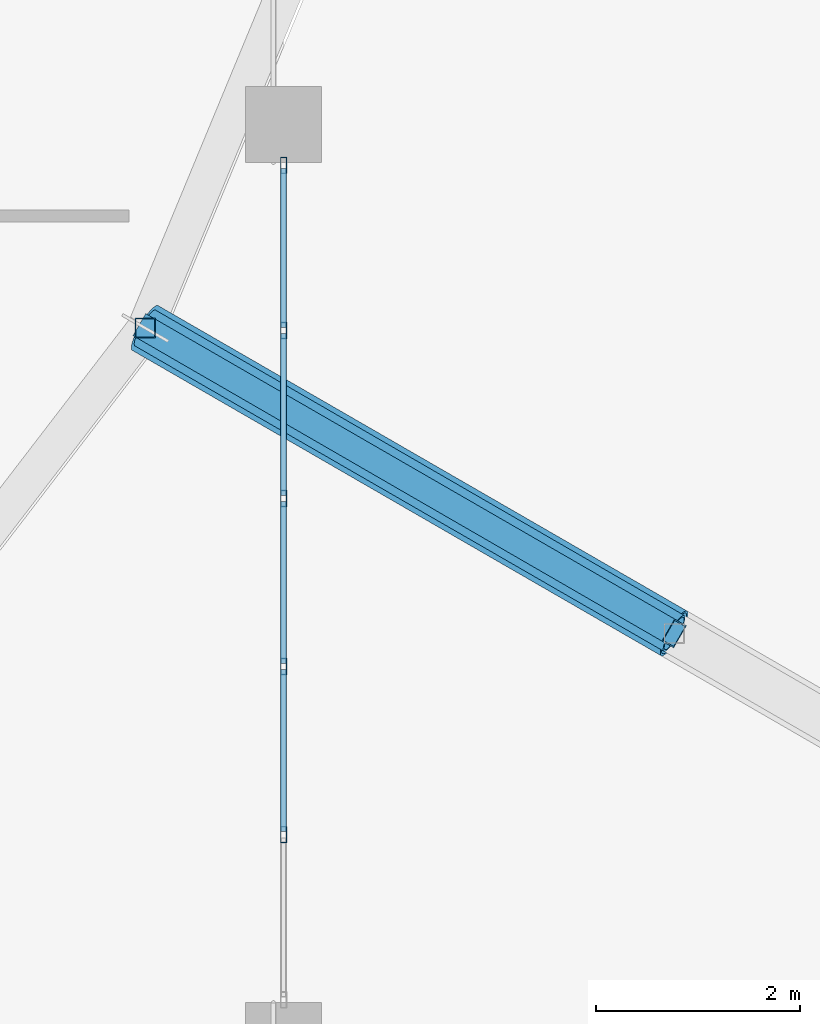
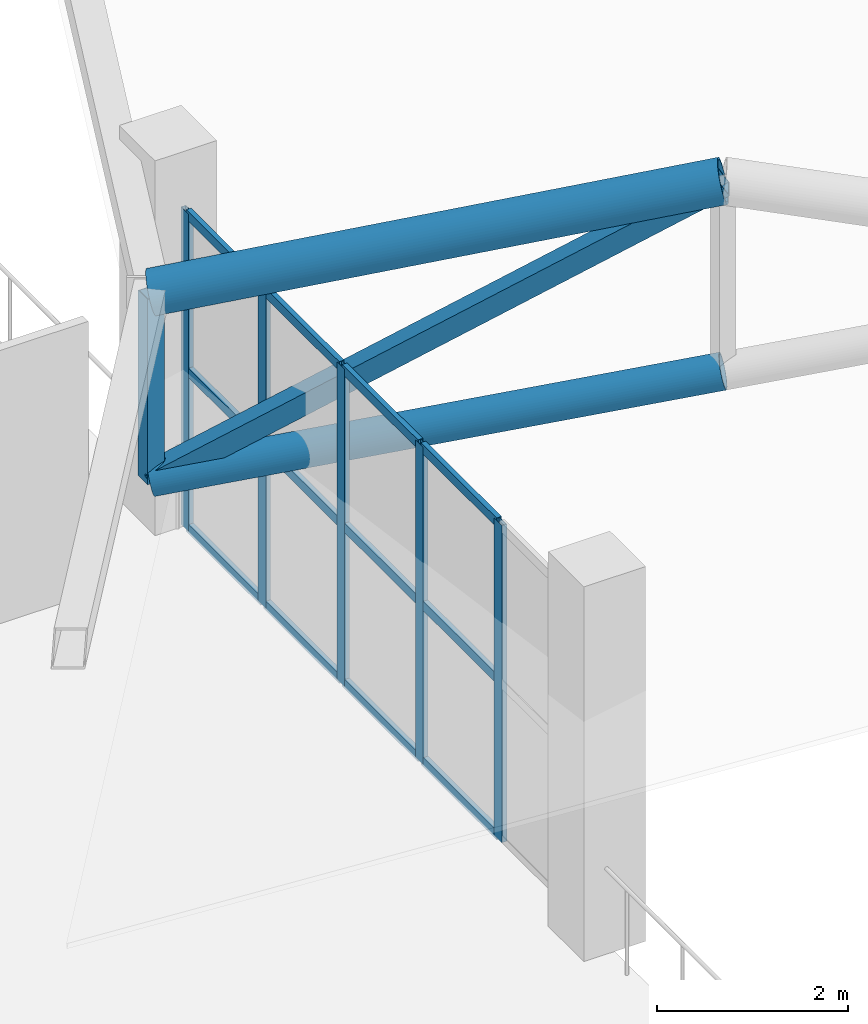
# One storey, part 39 of 167: 21 members, 1 element without a shape of its own.
"""IFC4 building model written with IfcOpenShell, lengths in metres."""

from ifc_helpers import new_model, si_unit, direction, frame, origin, origin_2d, place, context, subcontext, project, spatial, hollow_rectangle, hollow_circle, extrude, material, layer, layer_set, material_profile, profile_set, type_object, element, aggregate, save


model = new_model("IFC4")

# Units and contexts
model_context = context("Model", 3, precision=1e-05, world=origin(), true_north=direction((0.0, 1.0)))
body_context = subcontext(model_context, "Body", "Model", "MODEL_VIEW")
ifc_project = project(units=[si_unit("LENGTHUNIT", "METRE"), si_unit("AREAUNIT", "SQUARE_METRE"), si_unit("VOLUMEUNIT", "CUBIC_METRE"), si_unit("PLANEANGLEUNIT", "RADIAN"), si_unit("MASSUNIT", "GRAM", prefix="KILO")], contexts=[model_context])

# Site, building, storey
site_placement = place(None, origin())
site = spatial("IfcSite", under=ifc_project, at=site_placement, CompositionType="ELEMENT")
building_placement = place(site_placement, origin())
building = spatial("IfcBuilding", under=site, at=building_placement, Name="Dornveld Trade and Exhibition Forum", CompositionType="ELEMENT")
storey_placement = place(building_placement, frame((0.0, 0.0, 16.800048828125)))
storey = spatial("IfcBuildingStorey", under=building, at=storey_placement, Name="L03", CompositionType="ELEMENT", Elevation=16.800048828125)

# Curtain wall, members
ifc_material_1 = material(Name="Dark-bronze anodised aluminium and low-E glass", Category="aluminium")
ifc_layer = layer(ifc_material_1, 0.172119140625)
ifc_layer_set = layer_set([ifc_layer], Name="Dark-bronze anodised aluminium and low-E glass")
curtain_wall_type = type_object("IfcCurtainWallType", Name="CW-SYS-10", PredefinedType="USERDEFINED", material=ifc_layer_set)
curtain_wall_placement = place(storey_placement, origin())
curtain_wall = element("IfcCurtainWall", 1, at=curtain_wall_placement, inside=storey, type_object=curtain_wall_type, Name="L03 unitised curtain wall 64", ObjectType="UNITISED_CURTAIN_WALL", PredefinedType="USERDEFINED")
ifc_material_2 = material(Name="Dark-bronze anodised aluminium", Category="aluminium")
ifc_material_profile_1 = material_profile(ifc_material_2, hollow_rectangle(XDim=0.06005859375, YDim=0.159912109375, WallThickness=0.00390625, at=origin_2d()), Name="RHS 160x60x4")
ifc_profile_set_1 = profile_set([ifc_material_profile_1], Name="Dark-bronze anodised aluminium")
member_type_1 = type_object("IfcMemberType", Name="CW-MUL-160", PredefinedType="MULLION", material=ifc_profile_set_1)
member_1_placement = place(storey_placement, frame((153.0, 56.022705078125, -0.004150390625), z_axis=(0.0, 0.0, 1.0), x_axis=(-1.0, 0.0, 0.0)))
member_1 = element("IfcMember", 2, at=member_1_placement, type_object=member_type_1, Name="CW-10 mullion 2", PredefinedType="MULLION", context=body_context, shape_type="SweptSolid", body=[
    extrude(hollow_rectangle(XDim=0.06005859375, YDim=0.159912109375, WallThickness=0.00390625, at=origin_2d()), origin(), (0.0, 0.0, 1.0), 4.064208984375),
])
member_2_placement = place(storey_placement, frame((153.0, 57.67431640625, -0.004150390625), z_axis=(0.0, 0.0, 1.0), x_axis=(-1.0, 0.0, 0.0)))
member_2 = element("IfcMember", 3, at=member_2_placement, type_object=member_type_1, Name="CW-10 mullion 3", PredefinedType="MULLION", context=body_context, shape_type="SweptSolid", body=[
    extrude(hollow_rectangle(XDim=0.06005859375, YDim=0.159912109375, WallThickness=0.00390625, at=origin_2d()), origin(), (0.0, 0.0, 1.0), 4.064208984375),
])
member_3_placement = place(storey_placement, frame((153.0, 59.32568359375, -0.004150390625), z_axis=(0.0, 0.0, 1.0), x_axis=(-1.0, 0.0, 0.0)))
member_3 = element("IfcMember", 4, at=member_3_placement, type_object=member_type_1, Name="CW-10 mullion 4", PredefinedType="MULLION", context=body_context, shape_type="SweptSolid", body=[
    extrude(hollow_rectangle(XDim=0.06005859375, YDim=0.159912109375, WallThickness=0.00390625, at=origin_2d()), origin(), (0.0, 0.0, 1.0), 4.064208984375),
])
member_4_placement = place(storey_placement, frame((153.0, 60.977294921875, -0.004150390625), z_axis=(0.0, 0.0, 1.0), x_axis=(-1.0, 0.0, 0.0)))
member_4 = element("IfcMember", 5, at=member_4_placement, type_object=member_type_1, Name="CW-10 mullion 5", PredefinedType="MULLION", context=body_context, shape_type="SweptSolid", body=[
    extrude(hollow_rectangle(XDim=0.06005859375, YDim=0.159912109375, WallThickness=0.00390625, at=origin_2d()), origin(), (0.0, 0.0, 1.0), 4.064208984375),
])
member_5_placement = place(storey_placement, frame((153.0, 62.59912109375, -0.004150390625), z_axis=(0.0, 0.0, 1.0), x_axis=(-1.0, 0.0, 0.0)))
member_5 = element("IfcMember", 6, at=member_5_placement, type_object=member_type_1, Name="CW-10 mullion 6", PredefinedType="MULLION", context=body_context, shape_type="SweptSolid", body=[
    extrude(hollow_rectangle(XDim=0.06005859375, YDim=0.159912109375, WallThickness=0.00390625, at=origin_2d()), origin(), (0.0, 0.0, 1.0), 4.064208984375),
])
ifc_material_3 = material(Name="Dark-bronze anodised aluminium", Category="aluminium")
ifc_material_profile_2 = material_profile(ifc_material_3, hollow_rectangle(XDim=0.06005859375, YDim=0.1201171875, WallThickness=0.00390625, at=origin_2d()), Name="RHS 120x60x4")
ifc_profile_set_2 = profile_set([ifc_material_profile_2], Name="Dark-bronze anodised aluminium")
member_type_2 = type_object("IfcMemberType", Name="CW-TRN-120", PredefinedType="USERDEFINED", material=ifc_profile_set_2)
member_6_placement = place(storey_placement, frame((153.0, 56.052490234375, 0.02587890625), z_axis=(0.0, 1.0, 0.0), x_axis=(-1.0, 0.0, 0.0)))
member_6 = element("IfcMember", 7, at=member_6_placement, type_object=member_type_2, Name="CW-10 transom 2.1", ObjectType="TRANSOM", PredefinedType="USERDEFINED", context=body_context, shape_type="SweptSolid", body=[
    extrude(hollow_rectangle(XDim=0.06005859375, YDim=0.1201171875, WallThickness=0.00390625, at=origin_2d()), origin(), (0.0, 0.0, 1.0), 1.591796875),
])
member_7_placement = place(storey_placement, frame((153.0, 56.052490234375, 2.02783203125), z_axis=(0.0, 1.0, 0.0), x_axis=(-1.0, 0.0, 0.0)))
member_7 = element("IfcMember", 8, at=member_7_placement, type_object=member_type_2, Name="CW-10 transom 2.2", ObjectType="TRANSOM", PredefinedType="USERDEFINED", context=body_context, shape_type="SweptSolid", body=[
    extrude(hollow_rectangle(XDim=0.06005859375, YDim=0.1201171875, WallThickness=0.00390625, at=origin_2d()), origin(), (0.0, 0.0, 1.0), 1.591796875),
])
member_8_placement = place(storey_placement, frame((153.0, 56.052490234375, 4.030029296875), z_axis=(0.0, 1.0, 0.0), x_axis=(-1.0, 0.0, 0.0)))
member_8 = element("IfcMember", 9, at=member_8_placement, type_object=member_type_2, Name="CW-10 transom 2.3", ObjectType="TRANSOM", PredefinedType="USERDEFINED", context=body_context, shape_type="SweptSolid", body=[
    extrude(hollow_rectangle(XDim=0.06005859375, YDim=0.1201171875, WallThickness=0.00390625, at=origin_2d()), origin(), (0.0, 0.0, 1.0), 1.591796875),
])
member_9_placement = place(storey_placement, frame((153.0, 57.7041015625, 0.02587890625), z_axis=(0.0, 1.0, 0.0), x_axis=(-1.0, 0.0, 0.0)))
member_9 = element("IfcMember", 10, at=member_9_placement, type_object=member_type_2, Name="CW-10 transom 3.1", ObjectType="TRANSOM", PredefinedType="USERDEFINED", context=body_context, shape_type="SweptSolid", body=[
    extrude(hollow_rectangle(XDim=0.06005859375, YDim=0.1201171875, WallThickness=0.00390625, at=origin_2d()), origin(), (0.0, 0.0, 1.0), 1.591796875),
])
member_10_placement = place(storey_placement, frame((153.0, 57.7041015625, 2.02783203125), z_axis=(0.0, 1.0, 0.0), x_axis=(-1.0, 0.0, 0.0)))
member_10 = element("IfcMember", 11, at=member_10_placement, type_object=member_type_2, Name="CW-10 transom 3.2", ObjectType="TRANSOM", PredefinedType="USERDEFINED", context=body_context, shape_type="SweptSolid", body=[
    extrude(hollow_rectangle(XDim=0.06005859375, YDim=0.1201171875, WallThickness=0.00390625, at=origin_2d()), origin(), (0.0, 0.0, 1.0), 1.591796875),
])
member_11_placement = place(storey_placement, frame((153.0, 57.7041015625, 4.030029296875), z_axis=(0.0, 1.0, 0.0), x_axis=(-1.0, 0.0, 0.0)))
member_11 = element("IfcMember", 12, at=member_11_placement, type_object=member_type_2, Name="CW-10 transom 3.3", ObjectType="TRANSOM", PredefinedType="USERDEFINED", context=body_context, shape_type="SweptSolid", body=[
    extrude(hollow_rectangle(XDim=0.06005859375, YDim=0.1201171875, WallThickness=0.00390625, at=origin_2d()), origin(), (0.0, 0.0, 1.0), 1.591796875),
])
member_12_placement = place(storey_placement, frame((153.0, 59.355712890625, 0.02587890625), z_axis=(0.0, 1.0, 0.0), x_axis=(-1.0, 0.0, 0.0)))
member_12 = element("IfcMember", 13, at=member_12_placement, type_object=member_type_2, Name="CW-10 transom 4.1", ObjectType="TRANSOM", PredefinedType="USERDEFINED", context=body_context, shape_type="SweptSolid", body=[
    extrude(hollow_rectangle(XDim=0.06005859375, YDim=0.1201171875, WallThickness=0.00390625, at=origin_2d()), origin(), (0.0, 0.0, 1.0), 1.591796875),
])
member_13_placement = place(storey_placement, frame((153.0, 59.355712890625, 2.02783203125), z_axis=(0.0, 1.0, 0.0), x_axis=(-1.0, 0.0, 0.0)))
member_13 = element("IfcMember", 14, at=member_13_placement, type_object=member_type_2, Name="CW-10 transom 4.2", ObjectType="TRANSOM", PredefinedType="USERDEFINED", context=body_context, shape_type="SweptSolid", body=[
    extrude(hollow_rectangle(XDim=0.06005859375, YDim=0.1201171875, WallThickness=0.00390625, at=origin_2d()), origin(), (0.0, 0.0, 1.0), 1.591796875),
])
member_14_placement = place(storey_placement, frame((153.0, 59.355712890625, 4.030029296875), z_axis=(0.0, 1.0, 0.0), x_axis=(-1.0, 0.0, 0.0)))
member_14 = element("IfcMember", 15, at=member_14_placement, type_object=member_type_2, Name="CW-10 transom 4.3", ObjectType="TRANSOM", PredefinedType="USERDEFINED", context=body_context, shape_type="SweptSolid", body=[
    extrude(hollow_rectangle(XDim=0.06005859375, YDim=0.1201171875, WallThickness=0.00390625, at=origin_2d()), origin(), (0.0, 0.0, 1.0), 1.591796875),
])
member_15_placement = place(storey_placement, frame((153.0, 61.00732421875, 0.02587890625), z_axis=(0.0, 1.0, 0.0), x_axis=(-1.0, 0.0, 0.0)))
member_15 = element("IfcMember", 16, at=member_15_placement, type_object=member_type_2, Name="CW-10 transom 5.1", ObjectType="TRANSOM", PredefinedType="USERDEFINED", context=body_context, shape_type="SweptSolid", body=[
    extrude(hollow_rectangle(XDim=0.06005859375, YDim=0.1201171875, WallThickness=0.00390625, at=origin_2d()), origin(), (0.0, 0.0, 1.0), 1.561767578125),
])
member_16_placement = place(storey_placement, frame((153.0, 61.00732421875, 2.02783203125), z_axis=(0.0, 1.0, 0.0), x_axis=(-1.0, 0.0, 0.0)))
member_16 = element("IfcMember", 17, at=member_16_placement, type_object=member_type_2, Name="CW-10 transom 5.2", ObjectType="TRANSOM", PredefinedType="USERDEFINED", context=body_context, shape_type="SweptSolid", body=[
    extrude(hollow_rectangle(XDim=0.06005859375, YDim=0.1201171875, WallThickness=0.00390625, at=origin_2d()), origin(), (0.0, 0.0, 1.0), 1.561767578125),
])
member_17_placement = place(storey_placement, frame((153.0, 61.00732421875, 4.030029296875), z_axis=(0.0, 1.0, 0.0), x_axis=(-1.0, 0.0, 0.0)))
member_17 = element("IfcMember", 18, at=member_17_placement, type_object=member_type_2, Name="CW-10 transom 5.3", ObjectType="TRANSOM", PredefinedType="USERDEFINED", context=body_context, shape_type="SweptSolid", body=[
    extrude(hollow_rectangle(XDim=0.06005859375, YDim=0.1201171875, WallThickness=0.00390625, at=origin_2d()), origin(), (0.0, 0.0, 1.0), 1.561767578125),
])
aggregate(curtain_wall, [member_1, member_2, member_3, member_4, member_5, member_6, member_7, member_8, member_9, member_10, member_11, member_12, member_13, member_14, member_15, member_16, member_17])

# Members
ifc_material_4 = material(Name="Steel S355J2", Category="steel")
ifc_material_profile_3 = material_profile(ifc_material_4, hollow_circle(Radius=0.203125, WallThickness=0.02001953125, at=origin_2d()), Name="CHS 406.4x20")
ifc_profile_set_3 = profile_set([ifc_material_profile_3], Name="Steel S355J2")
member_type_3 = type_object("IfcMemberType", Name="MEM-DISC-BC", PredefinedType="CHORD", material=ifc_profile_set_3)
member_18_placement = place(storey_placement, frame((151.64111328125, 61.0, 2.07568359375), z_axis=(0.844532722982, -0.487601282714, 0.221380823263), x_axis=(0.500007758305, 0.866020924479, 0.0)))
element("IfcMember", 19, at=member_18_placement, inside=storey, type_object=member_type_3, Name="Roof disc radial R23 conical bottom chord 3", PredefinedType="CHORD", context=body_context, shape_type="SweptSolid", body=[
    extrude(hollow_circle(Radius=0.203125, WallThickness=0.02001953125, at=origin_2d()), origin(), (0.0, 0.0, 1.0), 6.152587890625),
])
ifc_material_5 = material(Name="Steel S355J2", Category="steel")
ifc_material_profile_4 = material_profile(ifc_material_5, hollow_rectangle(XDim=0.199951171875, YDim=0.199951171875, WallThickness=0.010009765625, at=origin_2d()), Name="SHS 200x200x10")
ifc_profile_set_4 = profile_set([ifc_material_profile_4], Name="Steel S355J2")
member_type_4 = type_object("IfcMemberType", Name="MEM-DISC-STR", PredefinedType="STRUT", material=ifc_profile_set_4)
member_19_placement = place(storey_placement, frame((151.64111328125, 61.0, 2.07568359375), z_axis=(0.0, 0.0, 1.0), x_axis=(1.0, 0.0, 0.0)))
element("IfcMember", 20, at=member_19_placement, inside=storey, type_object=member_type_4, Name="Roof disc radial R23 strut 3", PredefinedType="STRUT", context=body_context, shape_type="SweptSolid", body=[
    extrude(hollow_rectangle(XDim=0.199951171875, YDim=0.199951171875, WallThickness=0.010009765625, at=origin_2d()), origin(), (0.0, 0.0, 1.0), 2.374267578125),
])
ifc_material_6 = material(Name="Steel S355J2", Category="steel")
ifc_material_profile_5 = material_profile(ifc_material_6, hollow_circle(Radius=0.25390625, WallThickness=0.02490234375, at=origin_2d()), Name="CHS 508x25")
ifc_profile_set_5 = profile_set([ifc_material_profile_5], Name="Steel S355J2")
member_type_5 = type_object("IfcMemberType", Name="MEM-DISC-TC", PredefinedType="CHORD", material=ifc_profile_set_5)
member_20_placement = place(storey_placement, frame((151.64111328125, 61.0, 4.449951171875), z_axis=(0.842581171387, -0.486474530565, 0.231083319898), x_axis=(0.500007758305, 0.866020924479, 0.0)))
element("IfcMember", 21, at=member_20_placement, inside=storey, type_object=member_type_5, Name="Roof disc radial R23 top chord 3", PredefinedType="CHORD", context=body_context, shape_type="SweptSolid", body=[
    extrude(hollow_circle(Radius=0.25390625, WallThickness=0.02490234375, at=origin_2d()), origin(), (0.0, 0.0, 1.0), 6.166748046875),
])
ifc_material_7 = material(Name="Steel S355J2", Category="steel")
ifc_material_profile_6 = material_profile(ifc_material_7, hollow_rectangle(XDim=0.25, YDim=0.25, WallThickness=0.012451171875, at=origin_2d()), Name="SHS 250x250x12.5")
ifc_profile_set_6 = profile_set([ifc_material_profile_6], Name="Steel S355J2")
member_type_6 = type_object("IfcMemberType", Name="MEM-DISC-WEB", PredefinedType="BRACE", material=ifc_profile_set_6)
member_21_placement = place(storey_placement, frame((151.64111328125, 61.0, 2.07568359375), z_axis=(0.731665425973, -0.422435970228, 0.534989304092), x_axis=(0.500007758305, 0.866020924479, 0.0)))
element("IfcMember", 22, at=member_21_placement, inside=storey, type_object=member_type_6, Name="Roof disc radial R23 web 3", PredefinedType="BRACE", context=body_context, shape_type="SweptSolid", body=[
    extrude(hollow_rectangle(XDim=0.25, YDim=0.25, WallThickness=0.012451171875, at=origin_2d()), origin(), (0.0, 0.0, 1.0), 7.1015625),
])

save(model, "model.ifc")
